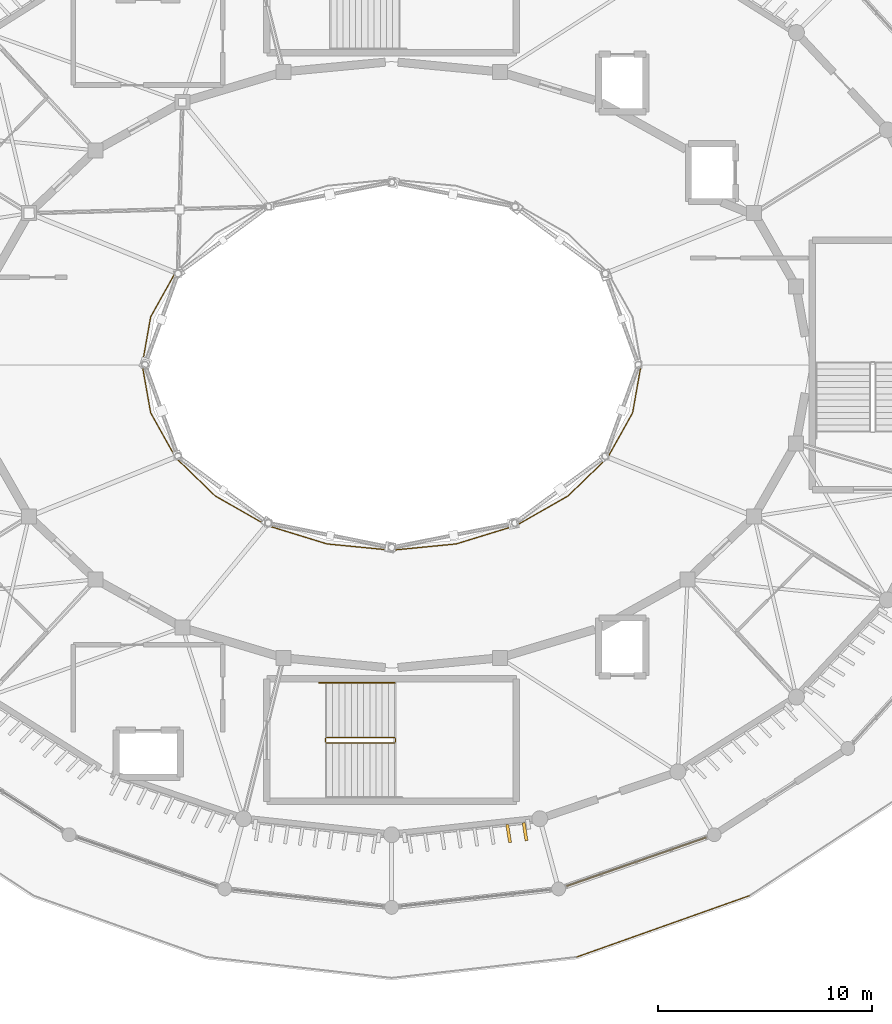
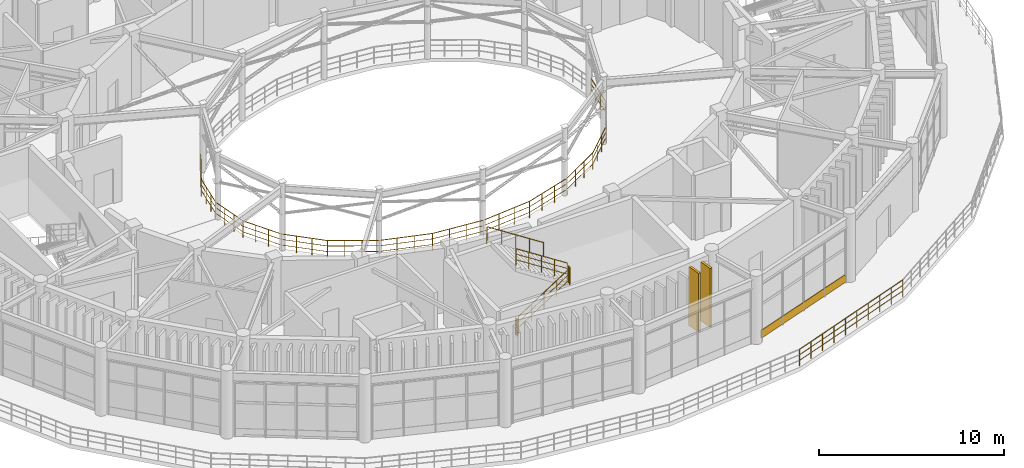
# One storey, part 40 of 45: 20 railings, 2 shading devices, 1 covering.
"""IFC4 building model written with IfcOpenShell, lengths in metres."""

from ifc_helpers import new_model, si_unit, direction, frame, origin, origin_2d, place, context, subcontext, project, spatial, rectangle, circle, extrude, material, layer, layer_set, type_object, element, save


model = new_model("IFC4")

# Units and contexts
model_context = context("Model", 3, precision=1e-05, world=origin(), true_north=direction((0.0, 1.0)))
body_context = subcontext(model_context, "Body", "Model", "MODEL_VIEW")
ifc_project = project(units=[si_unit("LENGTHUNIT", "METRE"), si_unit("AREAUNIT", "SQUARE_METRE"), si_unit("VOLUMEUNIT", "CUBIC_METRE"), si_unit("PLANEANGLEUNIT", "RADIAN"), si_unit("MASSUNIT", "GRAM", prefix="KILO")], contexts=[model_context])

# Site, building, storey
site_placement = place(None, origin())
site = spatial("IfcSite", under=ifc_project, at=site_placement, CompositionType="ELEMENT")
building_placement = place(site_placement, origin())
building = spatial("IfcBuilding", under=site, at=building_placement, Name="Cinderbank Siding Concert Hall", CompositionType="ELEMENT")
storey_placement = place(building_placement, frame((0.0, 0.0, 19.199951171875)))
storey = spatial("IfcBuildingStorey", under=building, at=storey_placement, Name="L05", CompositionType="ELEMENT", Elevation=19.199951171875)

# Railings
ifc_material_1 = material(Name="Spotted gum glulam timber GL18 (42 MPa)", Category="wood")
railing_type_1 = type_object("IfcRailingType", Name="BAL-01 Auditorium Tier Balustrade 1120mm", PredefinedType="BALUSTRADE", material=ifc_material_1)
railing_1_placement = place(storey_placement, frame((111.884765625, 48.340087890625, 0.0)))
element("IfcRailing", 1, at=railing_1_placement, inside=storey, type_object=railing_type_1, Name="L05 Auditorium Circle Balustrade 11", PredefinedType="BALUSTRADE", context=body_context, shape_type="SweptSolid", body=[
    extrude(circle(Radius=0.02392578125, at=origin_2d()), frame((0.0, 0.0, 1.09619140625), z_axis=(-0.486818758281, -0.873503003192, 0.0), x_axis=(0.873503003192, -0.486818758281, 0.0)), (0.0, 0.0, 1.0), 2.396728515625),
    extrude(circle(Radius=0.01611328125, at=origin_2d()), frame((0.0, 0.0, 0.36962890625), z_axis=(-0.486818758281, -0.873503003192, 0.0), x_axis=(0.873503003192, -0.486818758281, 0.0)), (0.0, 0.0, 1.0), 2.396728515625),
    extrude(circle(Radius=0.01611328125, at=origin_2d()), frame((0.0, 0.0, 0.7392578125), z_axis=(-0.486818758281, -0.873503003192, 0.0), x_axis=(0.873503003192, -0.486818758281, 0.0)), (0.0, 0.0, 1.0), 2.396728515625),
    extrude(circle(Radius=0.02099609375, at=origin_2d()), origin(), (0.0, 0.0, 1.0), 1.072021484375),
    extrude(circle(Radius=0.02099609375, at=origin_2d()), frame((-0.388916015625, -0.69775390625, 0.0)), (0.0, 0.0, 1.0), 1.072021484375),
    extrude(circle(Radius=0.02099609375, at=origin_2d()), frame((-0.77783203125, -1.395751953125, 0.0)), (0.0, 0.0, 1.0), 1.072021484375),
    extrude(circle(Radius=0.02099609375, at=origin_2d()), frame((-1.166748046875, -2.093505859375, 0.0)), (0.0, 0.0, 1.0), 1.072021484375),
])
railing_2_placement = place(storey_placement, frame((110.718017578125, 46.24658203125, 0.0)))
element("IfcRailing", 2, at=railing_2_placement, inside=storey, type_object=railing_type_1, Name="L05 Auditorium Circle Balustrade 12", PredefinedType="BALUSTRADE", context=body_context, shape_type="SweptSolid", body=[
    extrude(circle(Radius=0.02392578125, at=origin_2d()), frame((0.0, 0.0, 1.09619140625), z_axis=(-0.174420153546, -0.984671320816, 0.0), x_axis=(0.984671320816, -0.174420153546, 0.0)), (0.0, 0.0, 1.0), 2.281494140625),
    extrude(circle(Radius=0.01611328125, at=origin_2d()), frame((0.0, 0.0, 0.36962890625), z_axis=(-0.174420153546, -0.984671320816, 0.0), x_axis=(0.984671320816, -0.174420153546, 0.0)), (0.0, 0.0, 1.0), 2.281494140625),
    extrude(circle(Radius=0.01611328125, at=origin_2d()), frame((0.0, 0.0, 0.7392578125), z_axis=(-0.174420153546, -0.984671320816, 0.0), x_axis=(0.984671320816, -0.174420153546, 0.0)), (0.0, 0.0, 1.0), 2.281494140625),
    extrude(circle(Radius=0.02099609375, at=origin_2d()), origin(), (0.0, 0.0, 1.0), 1.072021484375),
    extrude(circle(Radius=0.02099609375, at=origin_2d()), frame((-0.132568359375, -0.748779296875, 0.0)), (0.0, 0.0, 1.0), 1.072021484375),
    extrude(circle(Radius=0.02099609375, at=origin_2d()), frame((-0.265380859375, -1.497802734375, 0.0)), (0.0, 0.0, 1.0), 1.072021484375),
    extrude(circle(Radius=0.02099609375, at=origin_2d()), frame((-0.39794921875, -2.24658203125, 0.0)), (0.0, 0.0, 1.0), 1.072021484375),
])
railing_3_placement = place(storey_placement, frame((110.320068359375, 44.0, 0.0)))
element("IfcRailing", 3, at=railing_3_placement, inside=storey, type_object=railing_type_1, Name="L05 Auditorium Circle Balustrade 13", PredefinedType="BALUSTRADE", context=body_context, shape_type="SweptSolid", body=[
    extrude(circle(Radius=0.02392578125, at=origin_2d()), frame((0.0, 0.0, 1.09619140625), z_axis=(0.174420153546, -0.984671320816, 0.0), x_axis=(0.984671320816, 0.174420153546, 0.0)), (0.0, 0.0, 1.0), 2.281494140625),
    extrude(circle(Radius=0.01611328125, at=origin_2d()), frame((0.0, 0.0, 0.36962890625), z_axis=(0.174420153546, -0.984671320816, 0.0), x_axis=(0.984671320816, 0.174420153546, 0.0)), (0.0, 0.0, 1.0), 2.281494140625),
    extrude(circle(Radius=0.01611328125, at=origin_2d()), frame((0.0, 0.0, 0.7392578125), z_axis=(0.174420153546, -0.984671320816, 0.0), x_axis=(0.984671320816, 0.174420153546, 0.0)), (0.0, 0.0, 1.0), 2.281494140625),
    extrude(circle(Radius=0.02099609375, at=origin_2d()), origin(), (0.0, 0.0, 1.0), 1.072021484375),
    extrude(circle(Radius=0.02099609375, at=origin_2d()), frame((0.132568359375, -0.748779296875, 0.0)), (0.0, 0.0, 1.0), 1.072021484375),
    extrude(circle(Radius=0.02099609375, at=origin_2d()), frame((0.265380859375, -1.497802734375, 0.0)), (0.0, 0.0, 1.0), 1.072021484375),
    extrude(circle(Radius=0.02099609375, at=origin_2d()), frame((0.39794921875, -2.24658203125, 0.0)), (0.0, 0.0, 1.0), 1.072021484375),
])
railing_4_placement = place(storey_placement, frame((110.718017578125, 41.75341796875, 0.0)))
element("IfcRailing", 4, at=railing_4_placement, inside=storey, type_object=railing_type_1, Name="L05 Auditorium Circle Balustrade 14", PredefinedType="BALUSTRADE", context=body_context, shape_type="SweptSolid", body=[
    extrude(circle(Radius=0.02392578125, at=origin_2d()), frame((0.0, 0.0, 1.09619140625), z_axis=(0.486818758281, -0.873503003192, 0.0), x_axis=(0.873503003192, 0.486818758281, 0.0)), (0.0, 0.0, 1.0), 2.396728515625),
    extrude(circle(Radius=0.01611328125, at=origin_2d()), frame((0.0, 0.0, 0.36962890625), z_axis=(0.486818758281, -0.873503003192, 0.0), x_axis=(0.873503003192, 0.486818758281, 0.0)), (0.0, 0.0, 1.0), 2.396728515625),
    extrude(circle(Radius=0.01611328125, at=origin_2d()), frame((0.0, 0.0, 0.7392578125), z_axis=(0.486818758281, -0.873503003192, 0.0), x_axis=(0.873503003192, 0.486818758281, 0.0)), (0.0, 0.0, 1.0), 2.396728515625),
    extrude(circle(Radius=0.02099609375, at=origin_2d()), origin(), (0.0, 0.0, 1.0), 1.072021484375),
    extrude(circle(Radius=0.02099609375, at=origin_2d()), frame((0.388916015625, -0.69775390625, 0.0)), (0.0, 0.0, 1.0), 1.072021484375),
    extrude(circle(Radius=0.02099609375, at=origin_2d()), frame((0.77783203125, -1.395751953125, 0.0)), (0.0, 0.0, 1.0), 1.072021484375),
    extrude(circle(Radius=0.02099609375, at=origin_2d()), frame((1.166748046875, -2.093505859375, 0.0)), (0.0, 0.0, 1.0), 1.072021484375),
])
railing_5_placement = place(storey_placement, frame((111.884765625, 39.659912109375, 0.0)))
element("IfcRailing", 5, at=railing_5_placement, inside=storey, type_object=railing_type_1, Name="L05 Auditorium Circle Balustrade 15", PredefinedType="BALUSTRADE", context=body_context, shape_type="SweptSolid", body=[
    extrude(circle(Radius=0.02392578125, at=origin_2d()), frame((0.0, 0.0, 1.09619140625), z_axis=(0.71835383074, -0.695677923943, 0.0), x_axis=(0.695677923943, 0.71835383074, 0.0)), (0.0, 0.0, 1.0), 2.583984375),
    extrude(circle(Radius=0.01611328125, at=origin_2d()), frame((0.0, 0.0, 0.36962890625), z_axis=(0.71835383074, -0.695677923943, 0.0), x_axis=(0.695677923943, 0.71835383074, 0.0)), (0.0, 0.0, 1.0), 2.583984375),
    extrude(circle(Radius=0.01611328125, at=origin_2d()), frame((0.0, 0.0, 0.7392578125), z_axis=(0.71835383074, -0.695677923943, 0.0), x_axis=(0.695677923943, 0.71835383074, 0.0)), (0.0, 0.0, 1.0), 2.583984375),
    extrude(circle(Radius=0.02099609375, at=origin_2d()), origin(), (0.0, 0.0, 1.0), 1.072021484375),
    extrude(circle(Radius=0.02099609375, at=origin_2d()), frame((0.61865234375, -0.59912109375, 0.0)), (0.0, 0.0, 1.0), 1.072021484375),
    extrude(circle(Radius=0.02099609375, at=origin_2d()), frame((1.237548828125, -1.198486328125, 0.0)), (0.0, 0.0, 1.0), 1.072021484375),
    extrude(circle(Radius=0.02099609375, at=origin_2d()), frame((1.856201171875, -1.797607421875, 0.0)), (0.0, 0.0, 1.0), 1.072021484375),
])
railing_6_placement = place(storey_placement, frame((113.740966796875, 37.8623046875, 0.0)))
element("IfcRailing", 6, at=railing_6_placement, inside=storey, type_object=railing_type_1, Name="L05 Auditorium Circle Balustrade 16", PredefinedType="BALUSTRADE", context=body_context, shape_type="SweptSolid", body=[
    extrude(circle(Radius=0.02392578125, at=origin_2d()), frame((0.0, 0.0, 1.09619140625), z_axis=(0.868685219128, -0.495364502228, 0.0), x_axis=(0.495364502228, 0.868685219128, 0.0)), (0.0, 0.0, 1.0), 2.78466796875),
    extrude(circle(Radius=0.01611328125, at=origin_2d()), frame((0.0, 0.0, 0.36962890625), z_axis=(0.868685219128, -0.495364502228, 0.0), x_axis=(0.495364502228, 0.868685219128, 0.0)), (0.0, 0.0, 1.0), 2.78466796875),
    extrude(circle(Radius=0.01611328125, at=origin_2d()), frame((0.0, 0.0, 0.7392578125), z_axis=(0.868685219128, -0.495364502228, 0.0), x_axis=(0.495364502228, 0.868685219128, 0.0)), (0.0, 0.0, 1.0), 2.78466796875),
    extrude(circle(Radius=0.02099609375, at=origin_2d()), origin(), (0.0, 0.0, 1.0), 1.072021484375),
    extrude(circle(Radius=0.02099609375, at=origin_2d()), frame((0.806396484375, -0.459716796875, 0.0)), (0.0, 0.0, 1.0), 1.072021484375),
    extrude(circle(Radius=0.02099609375, at=origin_2d()), frame((1.612548828125, -0.919677734375, 0.0)), (0.0, 0.0, 1.0), 1.072021484375),
    extrude(circle(Radius=0.02099609375, at=origin_2d()), frame((2.4189453125, -1.37939453125, 0.0)), (0.0, 0.0, 1.0), 1.072021484375),
])
railing_7_placement = place(storey_placement, frame((116.159912109375, 36.48291015625, 0.0)))
element("IfcRailing", 7, at=railing_7_placement, inside=storey, type_object=railing_type_1, Name="L05 Auditorium Circle Balustrade 17", PredefinedType="BALUSTRADE", context=body_context, shape_type="SweptSolid", body=[
    extrude(circle(Radius=0.02392578125, at=origin_2d()), frame((0.0, 0.0, 1.09619140625), z_axis=(0.955743184461, -0.294202252466, 0.0), x_axis=(0.294202252466, 0.955743184461, 0.0)), (0.0, 0.0, 1.0), 2.947509765625),
    extrude(circle(Radius=0.01611328125, at=origin_2d()), frame((0.0, 0.0, 0.36962890625), z_axis=(0.955743184461, -0.294202252466, 0.0), x_axis=(0.294202252466, 0.955743184461, 0.0)), (0.0, 0.0, 1.0), 2.947509765625),
    extrude(circle(Radius=0.01611328125, at=origin_2d()), frame((0.0, 0.0, 0.7392578125), z_axis=(0.955743184461, -0.294202252466, 0.0), x_axis=(0.294202252466, 0.955743184461, 0.0)), (0.0, 0.0, 1.0), 2.947509765625),
    extrude(circle(Radius=0.02099609375, at=origin_2d()), origin(), (0.0, 0.0, 1.0), 1.072021484375),
    extrude(circle(Radius=0.02099609375, at=origin_2d()), frame((0.93896484375, -0.2890625, 0.0)), (0.0, 0.0, 1.0), 1.072021484375),
    extrude(circle(Radius=0.02099609375, at=origin_2d()), frame((1.878173828125, -0.578125, 0.0)), (0.0, 0.0, 1.0), 1.072021484375),
    extrude(circle(Radius=0.02099609375, at=origin_2d()), frame((2.817138671875, -0.8671875, 0.0)), (0.0, 0.0, 1.0), 1.072021484375),
])
railing_8_placement = place(storey_placement, frame((118.97705078125, 35.61572265625, 0.0)))
element("IfcRailing", 8, at=railing_8_placement, inside=storey, type_object=railing_type_1, Name="L05 Auditorium Circle Balustrade 18", PredefinedType="BALUSTRADE", context=body_context, shape_type="SweptSolid", body=[
    extrude(circle(Radius=0.02392578125, at=origin_2d()), frame((0.0, 0.0, 1.09619140625), z_axis=(0.995251301544, -0.097338824598, 0.0), x_axis=(0.097338824598, 0.995251301544, 0.0)), (0.0, 0.0, 1.0), 3.037353515625),
    extrude(circle(Radius=0.01611328125, at=origin_2d()), frame((0.0, 0.0, 0.36962890625), z_axis=(0.995251301544, -0.097338824598, 0.0), x_axis=(0.097338824598, 0.995251301544, 0.0)), (0.0, 0.0, 1.0), 3.037353515625),
    extrude(circle(Radius=0.01611328125, at=origin_2d()), frame((0.0, 0.0, 0.7392578125), z_axis=(0.995251301544, -0.097338824598, 0.0), x_axis=(0.097338824598, 0.995251301544, 0.0)), (0.0, 0.0, 1.0), 3.037353515625),
    extrude(circle(Radius=0.02099609375, at=origin_2d()), origin(), (0.0, 0.0, 1.0), 1.072021484375),
    extrude(circle(Radius=0.02099609375, at=origin_2d()), frame((1.007568359375, -0.0986328125, 0.0)), (0.0, 0.0, 1.0), 1.072021484375),
    extrude(circle(Radius=0.02099609375, at=origin_2d()), frame((2.015380859375, -0.197021484375, 0.0)), (0.0, 0.0, 1.0), 1.072021484375),
    extrude(circle(Radius=0.02099609375, at=origin_2d()), frame((3.02294921875, -0.295654296875, 0.0)), (0.0, 0.0, 1.0), 1.072021484375),
])
railing_9_placement = place(storey_placement, frame((122.0, 35.320068359375, 0.0)))
element("IfcRailing", 9, at=railing_9_placement, inside=storey, type_object=railing_type_1, Name="L05 Auditorium Circle Balustrade 19", PredefinedType="BALUSTRADE", context=body_context, shape_type="SweptSolid", body=[
    extrude(circle(Radius=0.02392578125, at=origin_2d()), frame((0.0, 0.0, 1.09619140625), z_axis=(0.995251301544, 0.097338824598, 0.0), x_axis=(-0.097338824598, 0.995251301544, 0.0)), (0.0, 0.0, 1.0), 3.037353515625),
    extrude(circle(Radius=0.01611328125, at=origin_2d()), frame((0.0, 0.0, 0.36962890625), z_axis=(0.995251301544, 0.097338824598, 0.0), x_axis=(-0.097338824598, 0.995251301544, 0.0)), (0.0, 0.0, 1.0), 3.037353515625),
    extrude(circle(Radius=0.01611328125, at=origin_2d()), frame((0.0, 0.0, 0.7392578125), z_axis=(0.995251301544, 0.097338824598, 0.0), x_axis=(-0.097338824598, 0.995251301544, 0.0)), (0.0, 0.0, 1.0), 3.037353515625),
    extrude(circle(Radius=0.02099609375, at=origin_2d()), origin(), (0.0, 0.0, 1.0), 1.072021484375),
    extrude(circle(Radius=0.02099609375, at=origin_2d()), frame((1.007568359375, 0.0986328125, 0.0)), (0.0, 0.0, 1.0), 1.072021484375),
    extrude(circle(Radius=0.02099609375, at=origin_2d()), frame((2.015380859375, 0.197021484375, 0.0)), (0.0, 0.0, 1.0), 1.072021484375),
    extrude(circle(Radius=0.02099609375, at=origin_2d()), frame((3.02294921875, 0.295654296875, 0.0)), (0.0, 0.0, 1.0), 1.072021484375),
])
railing_10_placement = place(storey_placement, frame((125.02294921875, 35.61572265625, 0.0)))
element("IfcRailing", 10, at=railing_10_placement, inside=storey, type_object=railing_type_1, Name="L05 Auditorium Circle Balustrade 20", PredefinedType="BALUSTRADE", context=body_context, shape_type="SweptSolid", body=[
    extrude(circle(Radius=0.02392578125, at=origin_2d()), frame((0.0, 0.0, 1.09619140625), z_axis=(0.955743184461, 0.294202252466, 0.0), x_axis=(-0.294202252466, 0.955743184461, 0.0)), (0.0, 0.0, 1.0), 2.947509765625),
    extrude(circle(Radius=0.01611328125, at=origin_2d()), frame((0.0, 0.0, 0.36962890625), z_axis=(0.955743184461, 0.294202252466, 0.0), x_axis=(-0.294202252466, 0.955743184461, 0.0)), (0.0, 0.0, 1.0), 2.947509765625),
    extrude(circle(Radius=0.01611328125, at=origin_2d()), frame((0.0, 0.0, 0.7392578125), z_axis=(0.955743184461, 0.294202252466, 0.0), x_axis=(-0.294202252466, 0.955743184461, 0.0)), (0.0, 0.0, 1.0), 2.947509765625),
    extrude(circle(Radius=0.02099609375, at=origin_2d()), origin(), (0.0, 0.0, 1.0), 1.072021484375),
    extrude(circle(Radius=0.02099609375, at=origin_2d()), frame((0.93896484375, 0.2890625, 0.0)), (0.0, 0.0, 1.0), 1.072021484375),
    extrude(circle(Radius=0.02099609375, at=origin_2d()), frame((1.878173828125, 0.578125, 0.0)), (0.0, 0.0, 1.0), 1.072021484375),
    extrude(circle(Radius=0.02099609375, at=origin_2d()), frame((2.817138671875, 0.8671875, 0.0)), (0.0, 0.0, 1.0), 1.072021484375),
])
railing_11_placement = place(storey_placement, frame((127.840087890625, 36.48291015625, 0.0)))
element("IfcRailing", 11, at=railing_11_placement, inside=storey, type_object=railing_type_1, Name="L05 Auditorium Circle Balustrade 21", PredefinedType="BALUSTRADE", context=body_context, shape_type="SweptSolid", body=[
    extrude(circle(Radius=0.02392578125, at=origin_2d()), frame((0.0, 0.0, 1.09619140625), z_axis=(0.868685219128, 0.495364502228, 0.0), x_axis=(-0.495364502228, 0.868685219128, 0.0)), (0.0, 0.0, 1.0), 2.78466796875),
    extrude(circle(Radius=0.01611328125, at=origin_2d()), frame((0.0, 0.0, 0.36962890625), z_axis=(0.868685219128, 0.495364502228, 0.0), x_axis=(-0.495364502228, 0.868685219128, 0.0)), (0.0, 0.0, 1.0), 2.78466796875),
    extrude(circle(Radius=0.01611328125, at=origin_2d()), frame((0.0, 0.0, 0.7392578125), z_axis=(0.868685219128, 0.495364502228, 0.0), x_axis=(-0.495364502228, 0.868685219128, 0.0)), (0.0, 0.0, 1.0), 2.78466796875),
    extrude(circle(Radius=0.02099609375, at=origin_2d()), origin(), (0.0, 0.0, 1.0), 1.072021484375),
    extrude(circle(Radius=0.02099609375, at=origin_2d()), frame((0.806396484375, 0.459716796875, 0.0)), (0.0, 0.0, 1.0), 1.072021484375),
    extrude(circle(Radius=0.02099609375, at=origin_2d()), frame((1.612548828125, 0.919677734375, 0.0)), (0.0, 0.0, 1.0), 1.072021484375),
    extrude(circle(Radius=0.02099609375, at=origin_2d()), frame((2.4189453125, 1.37939453125, 0.0)), (0.0, 0.0, 1.0), 1.072021484375),
])
railing_12_placement = place(storey_placement, frame((130.259033203125, 37.8623046875, 0.0)))
element("IfcRailing", 12, at=railing_12_placement, inside=storey, type_object=railing_type_1, Name="L05 Auditorium Circle Balustrade 22", PredefinedType="BALUSTRADE", context=body_context, shape_type="SweptSolid", body=[
    extrude(circle(Radius=0.02392578125, at=origin_2d()), frame((0.0, 0.0, 1.09619140625), z_axis=(0.71835383074, 0.695677923943, 0.0), x_axis=(-0.695677923943, 0.71835383074, 0.0)), (0.0, 0.0, 1.0), 2.583984375),
    extrude(circle(Radius=0.01611328125, at=origin_2d()), frame((0.0, 0.0, 0.36962890625), z_axis=(0.71835383074, 0.695677923943, 0.0), x_axis=(-0.695677923943, 0.71835383074, 0.0)), (0.0, 0.0, 1.0), 2.583984375),
    extrude(circle(Radius=0.01611328125, at=origin_2d()), frame((0.0, 0.0, 0.7392578125), z_axis=(0.71835383074, 0.695677923943, 0.0), x_axis=(-0.695677923943, 0.71835383074, 0.0)), (0.0, 0.0, 1.0), 2.583984375),
    extrude(circle(Radius=0.02099609375, at=origin_2d()), origin(), (0.0, 0.0, 1.0), 1.072021484375),
    extrude(circle(Radius=0.02099609375, at=origin_2d()), frame((0.61865234375, 0.59912109375, 0.0)), (0.0, 0.0, 1.0), 1.072021484375),
    extrude(circle(Radius=0.02099609375, at=origin_2d()), frame((1.237548828125, 1.198486328125, 0.0)), (0.0, 0.0, 1.0), 1.072021484375),
    extrude(circle(Radius=0.02099609375, at=origin_2d()), frame((1.856201171875, 1.797607421875, 0.0)), (0.0, 0.0, 1.0), 1.072021484375),
])
railing_13_placement = place(storey_placement, frame((132.115234375, 39.659912109375, 0.0)))
element("IfcRailing", 13, at=railing_13_placement, inside=storey, type_object=railing_type_1, Name="L05 Auditorium Circle Balustrade 23", PredefinedType="BALUSTRADE", context=body_context, shape_type="SweptSolid", body=[
    extrude(circle(Radius=0.02392578125, at=origin_2d()), frame((0.0, 0.0, 1.09619140625), z_axis=(0.486818758281, 0.873503003192, 0.0), x_axis=(-0.873503003192, 0.486818758281, 0.0)), (0.0, 0.0, 1.0), 2.396728515625),
    extrude(circle(Radius=0.01611328125, at=origin_2d()), frame((0.0, 0.0, 0.36962890625), z_axis=(0.486818758281, 0.873503003192, 0.0), x_axis=(-0.873503003192, 0.486818758281, 0.0)), (0.0, 0.0, 1.0), 2.396728515625),
    extrude(circle(Radius=0.01611328125, at=origin_2d()), frame((0.0, 0.0, 0.7392578125), z_axis=(0.486818758281, 0.873503003192, 0.0), x_axis=(-0.873503003192, 0.486818758281, 0.0)), (0.0, 0.0, 1.0), 2.396728515625),
    extrude(circle(Radius=0.02099609375, at=origin_2d()), origin(), (0.0, 0.0, 1.0), 1.072021484375),
    extrude(circle(Radius=0.02099609375, at=origin_2d()), frame((0.388916015625, 0.69775390625, 0.0)), (0.0, 0.0, 1.0), 1.072021484375),
    extrude(circle(Radius=0.02099609375, at=origin_2d()), frame((0.77783203125, 1.395751953125, 0.0)), (0.0, 0.0, 1.0), 1.072021484375),
    extrude(circle(Radius=0.02099609375, at=origin_2d()), frame((1.166748046875, 2.093505859375, 0.0)), (0.0, 0.0, 1.0), 1.072021484375),
])
railing_14_placement = place(storey_placement, frame((133.281982421875, 41.75341796875, 0.0)))
element("IfcRailing", 14, at=railing_14_placement, inside=storey, type_object=railing_type_1, Name="L05 Auditorium Circle Balustrade 24", PredefinedType="BALUSTRADE", context=body_context, shape_type="SweptSolid", body=[
    extrude(circle(Radius=0.02392578125, at=origin_2d()), frame((0.0, 0.0, 1.09619140625), z_axis=(0.174420153546, 0.984671320816, 0.0), x_axis=(-0.984671320816, 0.174420153546, 0.0)), (0.0, 0.0, 1.0), 2.281494140625),
    extrude(circle(Radius=0.01611328125, at=origin_2d()), frame((0.0, 0.0, 0.36962890625), z_axis=(0.174420153546, 0.984671320816, 0.0), x_axis=(-0.984671320816, 0.174420153546, 0.0)), (0.0, 0.0, 1.0), 2.281494140625),
    extrude(circle(Radius=0.01611328125, at=origin_2d()), frame((0.0, 0.0, 0.7392578125), z_axis=(0.174420153546, 0.984671320816, 0.0), x_axis=(-0.984671320816, 0.174420153546, 0.0)), (0.0, 0.0, 1.0), 2.281494140625),
    extrude(circle(Radius=0.02099609375, at=origin_2d()), origin(), (0.0, 0.0, 1.0), 1.072021484375),
    extrude(circle(Radius=0.02099609375, at=origin_2d()), frame((0.132568359375, 0.748779296875, 0.0)), (0.0, 0.0, 1.0), 1.072021484375),
    extrude(circle(Radius=0.02099609375, at=origin_2d()), frame((0.265380859375, 1.497802734375, 0.0)), (0.0, 0.0, 1.0), 1.072021484375),
    extrude(circle(Radius=0.02099609375, at=origin_2d()), frame((0.39794921875, 2.24658203125, 0.0)), (0.0, 0.0, 1.0), 1.072021484375),
])

# Covering
ifc_layer = layer(ifc_material_1, 0.06494140625)
ifc_layer_set = layer_set([ifc_layer], Name="Spotted gum glulam timber GL18 (42 MPa)")
covering_type = type_object("IfcCoveringType", Name="CL-01 Spotted Gum Spandrel Band 520mm", PredefinedType="CLADDING", material=ifc_layer_set)
covering_placement = place(storey_placement, frame((133.4580078125, 20.734130859375, 0.0), z_axis=(0.0, 0.0, 1.0), x_axis=(0.944334191914, 0.328987741387, 0.0)))
element("IfcCovering", 15, at=covering_placement, inside=storey, type_object=covering_type, Name="CW-L05-089 Spotted Gum Spandrel Band", PredefinedType="CLADDING", context=body_context, shape_type="SweptSolid", body=[
    extrude(rectangle(XDim=6.93310546875, YDim=0.06494140625, at=origin_2d()), origin(), (0.0, 0.0, 1.0), 0.52001953125),
])

# Railing
ifc_material_2 = material(Name="Structural steel AS/NZS 3679.1 Grade 350 (340 MPa)", Category="steel")
railing_type_2 = type_object("IfcRailingType", Name="GD-01 Terrace & Perimeter Guardrail 1120mm", PredefinedType="GUARDRAIL", material=ifc_material_2)
railing_15_placement = place(storey_placement, frame((138.755126953125, 19.148681640625, 0.0)))
element("IfcRailing", 16, at=railing_15_placement, inside=storey, type_object=railing_type_2, Name="L05 Perimeter Guardrail #111", PredefinedType="GUARDRAIL", context=body_context, shape_type="SweptSolid", body=[
    extrude(circle(Radius=0.02392578125, at=origin_2d()), frame((0.0, 0.0, 1.09619140625), z_axis=(-0.942363766241, -0.334590095603, 0.0), x_axis=(0.334590095603, -0.942363766241, 0.0)), (0.0, 0.0, 1.0), 8.575927734375),
    extrude(circle(Radius=0.01611328125, at=origin_2d()), frame((0.0, 0.0, 0.36962890625), z_axis=(-0.942363766241, -0.334590095603, 0.0), x_axis=(0.334590095603, -0.942363766241, 0.0)), (0.0, 0.0, 1.0), 8.575927734375),
    extrude(circle(Radius=0.01611328125, at=origin_2d()), frame((0.0, 0.0, 0.7392578125), z_axis=(-0.942363766241, -0.334590095603, 0.0), x_axis=(0.334590095603, -0.942363766241, 0.0)), (0.0, 0.0, 1.0), 8.575927734375),
    extrude(circle(Radius=0.02099609375, at=origin_2d()), origin(), (0.0, 0.0, 1.0), 1.072021484375),
    extrude(circle(Radius=0.02099609375, at=origin_2d()), frame((-0.89794921875, -0.31884765625, 0.0)), (0.0, 0.0, 1.0), 1.072021484375),
    extrude(circle(Radius=0.02099609375, at=origin_2d()), frame((-1.7958984375, -0.6376953125, 0.0)), (0.0, 0.0, 1.0), 1.072021484375),
    extrude(circle(Radius=0.02099609375, at=origin_2d()), frame((-2.69384765625, -0.95654296875, 0.0)), (0.0, 0.0, 1.0), 1.072021484375),
    extrude(circle(Radius=0.02099609375, at=origin_2d()), frame((-3.591796875, -1.275390625, 0.0)), (0.0, 0.0, 1.0), 1.072021484375),
    extrude(circle(Radius=0.02099609375, at=origin_2d()), frame((-4.48974609375, -1.593994140625, 0.0)), (0.0, 0.0, 1.0), 1.072021484375),
    extrude(circle(Radius=0.02099609375, at=origin_2d()), frame((-5.3876953125, -1.912841796875, 0.0)), (0.0, 0.0, 1.0), 1.072021484375),
    extrude(circle(Radius=0.02099609375, at=origin_2d()), frame((-6.28564453125, -2.231689453125, 0.0)), (0.0, 0.0, 1.0), 1.072021484375),
    extrude(circle(Radius=0.02099609375, at=origin_2d()), frame((-7.18359375, -2.550537109375, 0.0)), (0.0, 0.0, 1.0), 1.072021484375),
    extrude(circle(Radius=0.02099609375, at=origin_2d()), frame((-8.08154296875, -2.869384765625, 0.0)), (0.0, 0.0, 1.0), 1.072021484375),
])

# Shading devices
ifc_material_3 = material(Name="Glazed architectural terracotta acoustic louvre unit", Category="masonry")
shading_device_type = type_object("IfcShadingDeviceType", Name="LV-01 Terracotta Louvre Blade 850x3850", PredefinedType="JALOUSIE", material=ifc_material_3)
for number, where, z_axis, x_axis, name in (
    (17, (127.477294921875, 22.0595703125, 0.0751953125), (0.0, 0.0, 1.0), (0.158354123126, -0.987382383724, 0.0), "L05 Terracotta Louvre Blade #160"),
    (18, (128.24755859375, 22.142822265625, 0.0751953125), (0.0, 0.0, 1.0), (0.158354123126, -0.987382383724, 0.0), "L05 Terracotta Louvre Blade #161"),
):
    element("IfcShadingDevice", number, at=place(storey_placement, frame(where, z_axis=z_axis, x_axis=x_axis)), inside=storey, type_object=shading_device_type, Name=name, PredefinedType="JALOUSIE", context=body_context, shape_type="SweptSolid", body=[
        extrude(rectangle(XDim=0.85009765625, YDim=0.139892578125, at=origin_2d()), origin(), (0.0, 0.0, 1.0), 3.889892578125),
    ])

# Railings
railing_type_3 = type_object("IfcRailingType", Name="STG-01 Stair Well Guardrail 1120mm", PredefinedType="GUARDRAIL", material=ifc_material_2)
railing_16_placement = place(storey_placement, frame((118.949951171875, 26.300048828125, 0.1875)))
element("IfcRailing", 19, at=railing_16_placement, inside=storey, type_object=railing_type_3, Name="L05 ST-02 stair guard 1", PredefinedType="GUARDRAIL", context=body_context, shape_type="SweptSolid", body=[
    extrude(circle(Radius=0.02392578125, at=origin_2d()), frame((0.0, 0.0, 1.09619140625), z_axis=(0.839759782654, 0.0, 0.542958108362), x_axis=(0.0, 1.0, 0.0)), (0.0, 0.0, 1.0), 3.798583984375),
    extrude(circle(Radius=0.01611328125, at=origin_2d()), frame((0.0, 0.0, 0.36962890625), z_axis=(0.839759782654, 0.0, 0.542958108362), x_axis=(0.0, 1.0, 0.0)), (0.0, 0.0, 1.0), 3.798583984375),
    extrude(circle(Radius=0.01611328125, at=origin_2d()), frame((0.0, 0.0, 0.7392578125), z_axis=(0.839759782654, 0.0, 0.542958108362), x_axis=(0.0, 1.0, 0.0)), (0.0, 0.0, 1.0), 3.798583984375),
    extrude(circle(Radius=0.02099609375, at=origin_2d()), origin(), (0.0, 0.0, 1.0), 1.072021484375),
    extrude(circle(Radius=0.02099609375, at=origin_2d()), frame((0.79736328125, 0.0, 0.515625)), (0.0, 0.0, 1.0), 1.072021484375),
    extrude(circle(Radius=0.02099609375, at=origin_2d()), frame((1.594970703125, 0.0, 1.03125)), (0.0, 0.0, 1.0), 1.072021484375),
    extrude(circle(Radius=0.02099609375, at=origin_2d()), frame((2.392578125, 0.0, 1.546875)), (0.0, 0.0, 1.0), 1.072021484375),
    extrude(circle(Radius=0.02099609375, at=origin_2d()), frame((3.18994140625, 0.0, 2.0625)), (0.0, 0.0, 1.0), 1.072021484375),
])
railing_17_placement = place(storey_placement, frame((122.18994140625, 26.35009765625, 2.25)))
element("IfcRailing", 20, at=railing_17_placement, inside=storey, type_object=railing_type_3, Name="L05 ST-02 stair guard 2", PredefinedType="GUARDRAIL", context=body_context, shape_type="SweptSolid", body=[
    extrude(circle(Radius=0.02392578125, at=origin_2d()), frame((0.0, 0.0, 1.09619140625), z_axis=(0.0, 1.0, 0.0), x_axis=(-1.0, 0.0, 0.0)), (0.0, 0.0, 1.0), 0.159912109375),
    extrude(circle(Radius=0.01611328125, at=origin_2d()), frame((0.0, 0.0, 0.36962890625), z_axis=(0.0, 1.0, 0.0), x_axis=(-1.0, 0.0, 0.0)), (0.0, 0.0, 1.0), 0.159912109375),
    extrude(circle(Radius=0.01611328125, at=origin_2d()), frame((0.0, 0.0, 0.7392578125), z_axis=(0.0, 1.0, 0.0), x_axis=(-1.0, 0.0, 0.0)), (0.0, 0.0, 1.0), 0.159912109375),
    extrude(circle(Radius=0.02099609375, at=origin_2d()), origin(), (0.0, 0.0, 1.0), 1.072021484375),
    extrude(circle(Radius=0.02099609375, at=origin_2d()), frame((0.0, 0.159912109375, 0.0)), (0.0, 0.0, 1.0), 1.072021484375),
])
railing_18_placement = place(storey_placement, frame((122.139892578125, 26.56005859375, 2.4375)))
element("IfcRailing", 21, at=railing_18_placement, inside=storey, type_object=railing_type_3, Name="L05 ST-02 stair guard 3", PredefinedType="GUARDRAIL", context=body_context, shape_type="SweptSolid", body=[
    extrude(circle(Radius=0.02392578125, at=origin_2d()), frame((0.0, 0.0, 1.09619140625), z_axis=(-0.839759782654, 0.0, 0.542958108362), x_axis=(0.0, -1.0, 0.0)), (0.0, 0.0, 1.0), 3.798583984375),
    extrude(circle(Radius=0.01611328125, at=origin_2d()), frame((0.0, 0.0, 0.36962890625), z_axis=(-0.839759782654, 0.0, 0.542958108362), x_axis=(0.0, -1.0, 0.0)), (0.0, 0.0, 1.0), 3.798583984375),
    extrude(circle(Radius=0.01611328125, at=origin_2d()), frame((0.0, 0.0, 0.7392578125), z_axis=(-0.839759782654, 0.0, 0.542958108362), x_axis=(0.0, -1.0, 0.0)), (0.0, 0.0, 1.0), 3.798583984375),
    extrude(circle(Radius=0.02099609375, at=origin_2d()), origin(), (0.0, 0.0, 1.0), 1.072021484375),
    extrude(circle(Radius=0.02099609375, at=origin_2d()), frame((-0.79736328125, 0.0, 0.515625)), (0.0, 0.0, 1.0), 1.072021484375),
    extrude(circle(Radius=0.02099609375, at=origin_2d()), frame((-1.594970703125, 0.0, 1.03125)), (0.0, 0.0, 1.0), 1.072021484375),
    extrude(circle(Radius=0.02099609375, at=origin_2d()), frame((-2.392578125, 0.0, 1.546875)), (0.0, 0.0, 1.0), 1.072021484375),
    extrude(circle(Radius=0.02099609375, at=origin_2d()), frame((-3.18994140625, 0.0, 2.0625)), (0.0, 0.0, 1.0), 1.072021484375),
])
railing_19_placement = place(storey_placement, frame((118.89990234375, 26.35009765625, 0.0)))
element("IfcRailing", 22, at=railing_19_placement, inside=storey, type_object=railing_type_3, Name="L05 ST-02 stair guard 4", PredefinedType="GUARDRAIL", context=body_context, shape_type="SweptSolid", body=[
    extrude(circle(Radius=0.02392578125, at=origin_2d()), frame((0.0, 0.0, 1.09619140625), z_axis=(0.0, 1.0, 0.0), x_axis=(-1.0, 0.0, 0.0)), (0.0, 0.0, 1.0), 0.159912109375),
    extrude(circle(Radius=0.01611328125, at=origin_2d()), frame((0.0, 0.0, 0.36962890625), z_axis=(0.0, 1.0, 0.0), x_axis=(-1.0, 0.0, 0.0)), (0.0, 0.0, 1.0), 0.159912109375),
    extrude(circle(Radius=0.01611328125, at=origin_2d()), frame((0.0, 0.0, 0.7392578125), z_axis=(0.0, 1.0, 0.0), x_axis=(-1.0, 0.0, 0.0)), (0.0, 0.0, 1.0), 0.159912109375),
    extrude(circle(Radius=0.02099609375, at=origin_2d()), origin(), (0.0, 0.0, 1.0), 1.072021484375),
    extrude(circle(Radius=0.02099609375, at=origin_2d()), frame((0.0, 0.159912109375, 0.0)), (0.0, 0.0, 1.0), 1.072021484375),
])
railing_type_4 = type_object("IfcRailingType", Name="STH-01 Stair Pitch Handrail 920mm", PredefinedType="HANDRAIL", material=ifc_material_2)
railing_20_placement = place(storey_placement, frame((122.139892578125, 29.110107421875, 2.4375)))
element("IfcRailing", 23, at=railing_20_placement, inside=storey, type_object=railing_type_4, Name="L05 ST-02 stair handrail 2", PredefinedType="HANDRAIL", context=body_context, shape_type="SweptSolid", body=[
    extrude(circle(Radius=0.02392578125, at=origin_2d()), frame((0.0, 0.0, 0.89599609375), z_axis=(-0.839762940478, 0.0, 0.542953224319), x_axis=(0.0, -1.0, 0.0)), (0.0, 0.0, 1.0), 4.14404296875),
    extrude(circle(Radius=0.02392578125, at=origin_2d()), frame((-3.47998046875, 0.0, 3.14599609375), z_axis=(-1.0, 0.0, 0.0), x_axis=(0.0, -1.0, 0.0)), (0.0, 0.0, 1.0), 0.059814453125),
    extrude(circle(Radius=0.02099609375, at=origin_2d()), origin(), (0.0, 0.0, 1.0), 0.871826171875),
    extrude(circle(Radius=0.02099609375, at=origin_2d()), frame((-0.8701171875, 0.0, 0.5625)), (0.0, 0.0, 1.0), 0.871826171875),
    extrude(circle(Radius=0.02099609375, at=origin_2d()), frame((-1.739990234375, 0.0, 1.125)), (0.0, 0.0, 1.0), 0.871826171875),
    extrude(circle(Radius=0.02099609375, at=origin_2d()), frame((-2.60986328125, 0.0, 1.6875)), (0.0, 0.0, 1.0), 0.871826171875),
    extrude(circle(Radius=0.02099609375, at=origin_2d()), frame((-3.47998046875, 0.0, 2.25)), (0.0, 0.0, 1.0), 0.871826171875),
    extrude(circle(Radius=0.02099609375, at=origin_2d()), frame((-3.539794921875, 0.0, 2.0625)), (0.0, 0.0, 1.0), 1.059326171875),
])

save(model, "model.ifc")
